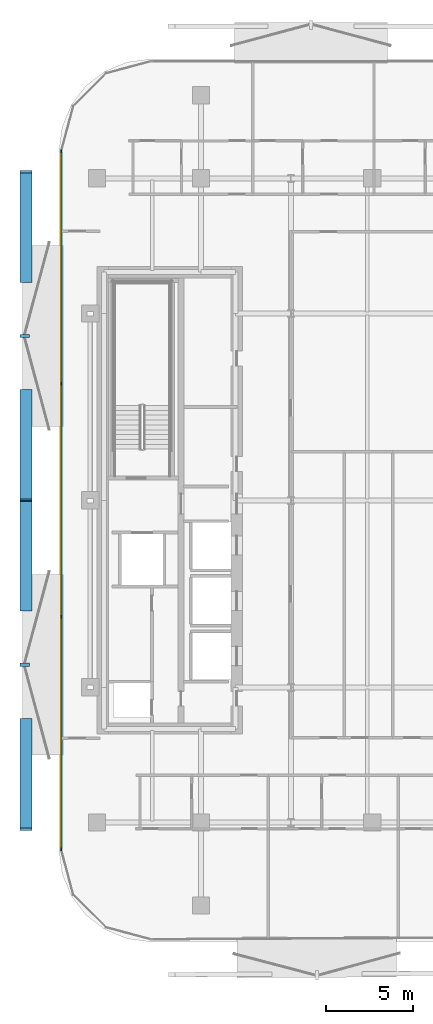
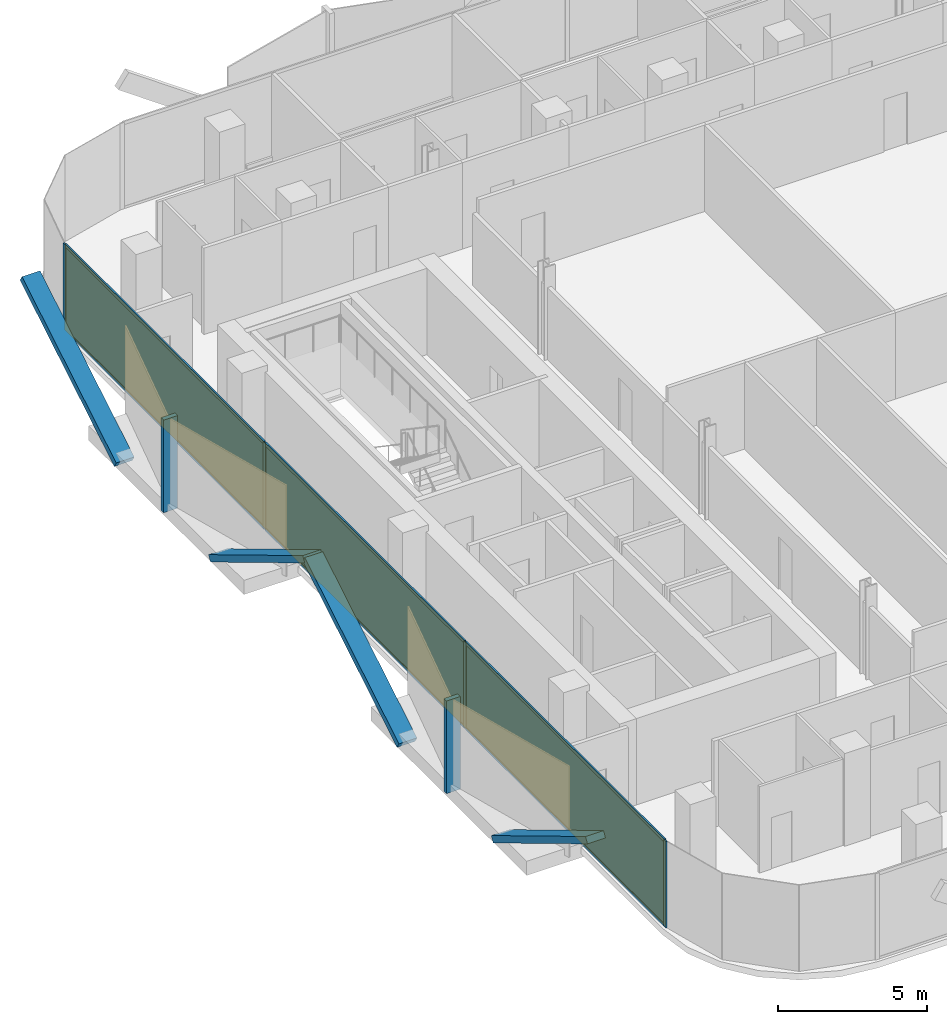
# One storey, part 10 of 17: 16 members, 3 plates, 1 curtain wall.
"""IFC4 building model written with IfcOpenShell, lengths in metres."""

from ifc_helpers import new_model, si_unit, direction, frame, frame_2d, origin, origin_2d, place, context, subcontext, project, spatial, rectangle, extrude, material, layer, layer_set, material_profile, profile_set, type_object, element, aggregate, save


model = new_model("IFC4")

# Units and contexts
model_context = context("Model", 3, precision=1e-05, world=origin(), true_north=direction((0.0, 1.0)))
body_context = subcontext(model_context, "Body", "Model", "MODEL_VIEW")
ifc_project = project(units=[si_unit("LENGTHUNIT", "METRE"), si_unit("AREAUNIT", "SQUARE_METRE"), si_unit("VOLUMEUNIT", "CUBIC_METRE"), si_unit("PLANEANGLEUNIT", "RADIAN"), si_unit("MASSUNIT", "GRAM", prefix="KILO")], contexts=[model_context])

# Member
ifc_material_1 = material(Name="Anodised Bronze Aluminium 6063-T6", Category="aluminium")
ifc_material_profile_1 = material_profile(ifc_material_1, rectangle(XDim=0.260009765625, YDim=0.699951171875, at=origin_2d()))
ifc_profile_set_1 = profile_set([ifc_material_profile_1], Name="Anodised Bronze Aluminium 6063-T6")
member_type_1 = type_object("IfcMemberType", Name="Bronze Diamond Solar-Screen Lattice Rib BDL-700", PredefinedType="MULLION", material=ifc_profile_set_1)
site_placement = place(None, origin())
building_placement = place(site_placement, origin())
storey_placement = place(building_placement, frame((0.0, 0.0, 191.60009765625)))
member_1_placement = place(storey_placement, frame((-24.5, -6.330322265625, -0.130126953125), z_axis=(0.0, 0.857382035675, 0.514680527027), x_axis=(0.0, -0.514680527027, 0.857382035675)))
member_1 = element("IfcMember", 1, at=member_1_placement, type_object=member_type_1, Name="L44 Bronze Diamond Solar Screen Lattice Rib 291A", PredefinedType="MULLION", context=body_context, shape_type="SweptSolid", body=[
    extrude(rectangle(XDim=0.260009765625, YDim=0.699951171875, at=origin_2d()), origin(), (0.0, 0.0, 1.0), 7.38330078125),
])

member_2_placement = place(storey_placement, frame((-24.5, -12.660400390625, -0.130126953125), z_axis=(0.0, -0.857382035675, 0.514680527027), x_axis=(0.0, 0.514680527027, 0.857382035675)))
member_2 = element("IfcMember", 2, at=member_2_placement, type_object=member_type_1, Name="L44 Bronze Diamond Solar Screen Lattice Rib 291B", PredefinedType="MULLION", context=body_context, shape_type="SweptSolid", body=[
    extrude(rectangle(XDim=0.260009765625, YDim=0.699951171875, at=origin_2d()), origin(), (0.0, 0.0, 1.0), 7.38330078125),
])

member_3_placement = place(storey_placement, frame((-24.5, 12.660400390625, -0.130126953125), z_axis=(0.0, 0.857382035675, 0.514680527027), x_axis=(0.0, -0.514680527027, 0.857382035675)))
member_3 = element("IfcMember", 3, at=member_3_placement, type_object=member_type_1, Name="L44 Bronze Diamond Solar Screen Lattice Rib 292A", PredefinedType="MULLION", context=body_context, shape_type="SweptSolid", body=[
    extrude(rectangle(XDim=0.260009765625, YDim=0.699951171875, at=origin_2d()), origin(), (0.0, 0.0, 1.0), 7.38330078125),
])

member_4_placement = place(storey_placement, frame((-24.5, 6.330322265625, -0.130126953125), z_axis=(0.0, -0.857382035675, 0.514680527027), x_axis=(0.0, 0.514680527027, 0.857382035675)))
member_4 = element("IfcMember", 4, at=member_4_placement, type_object=member_type_1, Name="L44 Bronze Diamond Solar Screen Lattice Rib 292B", PredefinedType="MULLION", context=body_context, shape_type="SweptSolid", body=[
    extrude(rectangle(XDim=0.260009765625, YDim=0.699951171875, at=origin_2d()), origin(), (0.0, 0.0, 1.0), 7.38330078125),
])

ifc_material_2 = material(Name="Anodised Bronze Aluminium 6063-T6", Category="aluminium")
ifc_material_profile_2 = material_profile(ifc_material_2, rectangle(XDim=0.179931640625, YDim=0.5400390625, at=origin_2d()))
ifc_profile_set_2 = profile_set([ifc_material_profile_2], Name="Anodised Bronze Aluminium 6063-T6")
member_type_2 = type_object("IfcMemberType", Name="Bronze Solar-Screen Vertical Fold Fin BSF-540", PredefinedType="MULLION", material=ifc_profile_set_2)
member_5_placement = place(storey_placement, frame((-24.580078125, -9.495361328125, -0.130126953125), z_axis=(0.0, 0.0, 1.0), x_axis=(0.0, 1.0, 0.0)))
member_5 = element("IfcMember", 5, at=member_5_placement, type_object=member_type_2, Name="L44 Bronze Solar Screen Vertical Fin 291", PredefinedType="MULLION", context=body_context, shape_type="SweptSolid", body=[
    extrude(rectangle(XDim=0.179931640625, YDim=0.5400390625, at=origin_2d()), origin(), (0.0, 0.0, 1.0), 3.800048828125),
])

member_6_placement = place(storey_placement, frame((-24.580078125, 9.495361328125, -0.130126953125), z_axis=(0.0, 0.0, 1.0), x_axis=(0.0, 1.0, 0.0)))
member_6 = element("IfcMember", 6, at=member_6_placement, type_object=member_type_2, Name="L44 Bronze Solar Screen Vertical Fin 292", PredefinedType="MULLION", context=body_context, shape_type="SweptSolid", body=[
    extrude(rectangle(XDim=0.179931640625, YDim=0.5400390625, at=origin_2d()), origin(), (0.0, 0.0, 1.0), 3.800048828125),
])

ifc_material_3 = material(Name="Anodised Bronze Aluminium 6063-T6", Category="aluminium")
ifc_material_profile_3 = material_profile(ifc_material_3, rectangle(XDim=0.06005859375, YDim=0.1650390625, at=origin_2d()))
ifc_profile_set_3 = profile_set([ifc_material_profile_3], Name="Anodised Bronze Aluminium 6063-T6")
member_type_3 = type_object("IfcMemberType", Name="CW-Z3 Mullion 60x165", PredefinedType="MULLION", material=ifc_profile_set_3)
member_7_placement = place(storey_placement, frame((-22.4599609375, -20.160888671875, 0.0), z_axis=(0.0, 0.0, 1.0), x_axis=(-1.0, 0.0, 0.0)))
member_7 = element("IfcMember", 7, at=member_7_placement, type_object=member_type_3, Name="CW-Z3 mullion 1", PredefinedType="MULLION", context=body_context, shape_type="SweptSolid", body=[
    extrude(rectangle(XDim=0.06005859375, YDim=0.1650390625, at=origin_2d()), origin(), (0.0, 0.0, 1.0), 3.539794921875),
])

member_8_placement = place(storey_placement, frame((-22.4599609375, -6.730224609375, 0.0), z_axis=(0.0, 0.0, 1.0), x_axis=(-1.0, 0.0, 0.0)))
member_8 = element("IfcMember", 8, at=member_8_placement, type_object=member_type_3, Name="CW-Z3 mullion 2", PredefinedType="MULLION", context=body_context, shape_type="SweptSolid", body=[
    extrude(rectangle(XDim=0.06005859375, YDim=0.1650390625, at=origin_2d()), origin(), (0.0, 0.0, 1.0), 3.539794921875),
])

member_9_placement = place(storey_placement, frame((-22.4599609375, 6.730224609375, 0.0), z_axis=(0.0, 0.0, 1.0), x_axis=(-1.0, 0.0, 0.0)))
member_9 = element("IfcMember", 9, at=member_9_placement, type_object=member_type_3, Name="CW-Z3 mullion 3", PredefinedType="MULLION", context=body_context, shape_type="SweptSolid", body=[
    extrude(rectangle(XDim=0.06005859375, YDim=0.1650390625, at=origin_2d()), origin(), (0.0, 0.0, 1.0), 3.539794921875),
])

member_10_placement = place(storey_placement, frame((-22.4599609375, 20.160888671875, 0.0), z_axis=(0.0, 0.0, 1.0), x_axis=(-1.0, 0.0, 0.0)))
member_10 = element("IfcMember", 10, at=member_10_placement, type_object=member_type_3, Name="CW-Z3 mullion 4", PredefinedType="MULLION", context=body_context, shape_type="SweptSolid", body=[
    extrude(rectangle(XDim=0.06005859375, YDim=0.1650390625, at=origin_2d()), origin(), (0.0, 0.0, 1.0), 3.539794921875),
])

ifc_material_4 = material(Name="Anodised Bronze Aluminium 6063-T6", Category="aluminium")
ifc_material_profile_4 = material_profile(ifc_material_4, rectangle(XDim=0.06005859375, YDim=0.1298828125, at=origin_2d()))
ifc_profile_set_4 = profile_set([ifc_material_profile_4], Name="Anodised Bronze Aluminium 6063-T6")
member_type_4 = type_object("IfcMemberType", Name="CW-Z3 Transom 60x130", PredefinedType="USERDEFINED", material=ifc_profile_set_4)
member_11_placement = place(storey_placement, frame((-22.4599609375, -20.130859375, 0.02978515625), z_axis=(0.0, 1.0, 0.0), x_axis=(-1.0, 0.0, 0.0)))
member_11 = element("IfcMember", 11, at=member_11_placement, type_object=member_type_4, Name="CW-Z3 transom 1.1", ObjectType="TRANSOM", PredefinedType="USERDEFINED", context=body_context, shape_type="SweptSolid", body=[
    extrude(rectangle(XDim=0.06005859375, YDim=0.1298828125, at=origin_2d()), origin(), (0.0, 0.0, 1.0), 13.37060546875),
])

member_12_placement = place(storey_placement, frame((-22.4599609375, -20.130859375, 3.510009765625), z_axis=(0.0, 1.0, 0.0), x_axis=(-1.0, 0.0, 0.0)))
member_12 = element("IfcMember", 12, at=member_12_placement, type_object=member_type_4, Name="CW-Z3 transom 1.2", ObjectType="TRANSOM", PredefinedType="USERDEFINED", context=body_context, shape_type="SweptSolid", body=[
    extrude(rectangle(XDim=0.06005859375, YDim=0.1298828125, at=origin_2d()), origin(), (0.0, 0.0, 1.0), 13.37060546875),
])

member_13_placement = place(storey_placement, frame((-22.4599609375, -6.7001953125, 0.02978515625), z_axis=(0.0, 1.0, 0.0), x_axis=(-1.0, 0.0, 0.0)))
member_13 = element("IfcMember", 13, at=member_13_placement, type_object=member_type_4, Name="CW-Z3 transom 2.1", ObjectType="TRANSOM", PredefinedType="USERDEFINED", context=body_context, shape_type="SweptSolid", body=[
    extrude(rectangle(XDim=0.06005859375, YDim=0.1298828125, at=origin_2d()), origin(), (0.0, 0.0, 1.0), 13.400390625),
])

member_14_placement = place(storey_placement, frame((-22.4599609375, -6.7001953125, 3.510009765625), z_axis=(0.0, 1.0, 0.0), x_axis=(-1.0, 0.0, 0.0)))
member_14 = element("IfcMember", 14, at=member_14_placement, type_object=member_type_4, Name="CW-Z3 transom 2.2", ObjectType="TRANSOM", PredefinedType="USERDEFINED", context=body_context, shape_type="SweptSolid", body=[
    extrude(rectangle(XDim=0.06005859375, YDim=0.1298828125, at=origin_2d()), origin(), (0.0, 0.0, 1.0), 13.400390625),
])

member_15_placement = place(storey_placement, frame((-22.4599609375, 6.76025390625, 0.02978515625), z_axis=(0.0, 1.0, 0.0), x_axis=(-1.0, 0.0, 0.0)))
member_15 = element("IfcMember", 15, at=member_15_placement, type_object=member_type_4, Name="CW-Z3 transom 3.1", ObjectType="TRANSOM", PredefinedType="USERDEFINED", context=body_context, shape_type="SweptSolid", body=[
    extrude(rectangle(XDim=0.06005859375, YDim=0.1298828125, at=origin_2d()), origin(), (0.0, 0.0, 1.0), 13.37060546875),
])

member_16_placement = place(storey_placement, frame((-22.4599609375, 6.76025390625, 3.510009765625), z_axis=(0.0, 1.0, 0.0), x_axis=(-1.0, 0.0, 0.0)))
member_16 = element("IfcMember", 16, at=member_16_placement, type_object=member_type_4, Name="CW-Z3 transom 3.2", ObjectType="TRANSOM", PredefinedType="USERDEFINED", context=body_context, shape_type="SweptSolid", body=[
    extrude(rectangle(XDim=0.06005859375, YDim=0.1298828125, at=origin_2d()), origin(), (0.0, 0.0, 1.0), 13.37060546875),
])

# Plate
ifc_material_5 = material(Name="Low-E Solar Control Laminated Glass", Category="glass")
ifc_layer_1 = layer(ifc_material_5, 0.030029296875, Name="Low-E Solar Control Laminated Glass")
ifc_layer_set_1 = layer_set([ifc_layer_1], Name="Low-E Solar Control Laminated Glass")
plate_type = type_object("IfcPlateType", Name="CW-Z3 Low-E Double Glazed Panel 30mm", PredefinedType="CURTAIN_PANEL", material=ifc_layer_set_1)
plate_1_placement = place(storey_placement, frame((-22.4599609375, -13.445556640625, 0.06005859375), z_axis=(0.0, 0.0, 1.0), x_axis=(0.0, 1.0, 0.0)))
plate_1 = element("IfcPlate", 17, at=plate_1_placement, type_object=plate_type, Name="CW-Z3 panel 1.1", PredefinedType="CURTAIN_PANEL", context=body_context, shape_type="SweptSolid", body=[
    extrude(rectangle(XDim=13.37060546875, YDim=0.030029296875, at=origin_2d()), origin(), (0.0, 0.0, 1.0), 3.419921875),
])

plate_2_placement = place(storey_placement, frame((-22.4599609375, 0.0, 0.06005859375), z_axis=(0.0, 0.0, 1.0), x_axis=(0.0, 1.0, 0.0)))
plate_2 = element("IfcPlate", 18, at=plate_2_placement, type_object=plate_type, Name="CW-Z3 panel 2.1", PredefinedType="CURTAIN_PANEL", context=body_context, shape_type="SweptSolid", body=[
    extrude(rectangle(XDim=13.400634765625, YDim=0.030029296875, at=origin_2d()), origin(), (0.0, 0.0, 1.0), 3.419921875),
])

plate_3_placement = place(storey_placement, frame((-22.4599609375, 13.445556640625, 0.06005859375), z_axis=(0.0, 0.0, 1.0), x_axis=(0.0, 1.0, 0.0)))
plate_3 = element("IfcPlate", 19, at=plate_3_placement, type_object=plate_type, Name="CW-Z3 panel 3.1", PredefinedType="CURTAIN_PANEL", context=body_context, shape_type="SweptSolid", body=[
    extrude(rectangle(XDim=13.37060546875, YDim=0.030029296875, at=origin_2d()), origin(), (0.0, 0.0, 1.0), 3.419921875),
])

# Site, building, storey
site = spatial("IfcSite", under=ifc_project, at=site_placement, CompositionType="ELEMENT")
building = spatial("IfcBuilding", under=site, at=building_placement, Name="Khairoan Windgate Tower", CompositionType="ELEMENT")
storey = spatial("IfcBuildingStorey", under=building, at=storey_placement, Name="L44", CompositionType="ELEMENT", Elevation=191.60009765625)

# Curtain wall
ifc_material_6 = material(Name="Anodised Bronze Aluminium 6063-T6", Category="aluminium")
ifc_layer_2 = layer(ifc_material_6, 0.1650390625, Name="Anodised Bronze Aluminium 6063-T6")
ifc_layer_set_2 = layer_set([ifc_layer_2], Name="Anodised Bronze Aluminium 6063-T6")
curtain_wall_type = type_object("IfcCurtainWallType", Name="Luxury Hotel Acoustic Curtain Wall CW-Z3", PredefinedType="NOTDEFINED", material=ifc_layer_set_2)
curtain_wall_placement = place(storey_placement, frame((-22.4599609375, -20.19091796875, 0.0), z_axis=(0.0, 0.0, 1.0), x_axis=(0.0, 1.0, 0.0)))
curtain_wall = element("IfcCurtainWall", 20, at=curtain_wall_placement, inside=storey, type_object=curtain_wall_type, Name="L44 Unitised Curtain Wall 5", PredefinedType="NOTDEFINED", context=body_context, shape_type="SweptSolid", body=[
    extrude(rectangle(XDim=40.3818359375, YDim=0.010009765625, at=frame_2d((20.19091796875, 0.0))), origin(), (0.0, 0.0, 1.0), 3.539794921875),
])

aggregate(curtain_wall, [member_7, member_8, member_9, member_10, member_11, member_12, plate_1, member_13, member_14, plate_2, member_15, member_16, plate_3, member_1, member_2, member_5, member_3, member_4, member_6])

save(model, "model.ifc")
